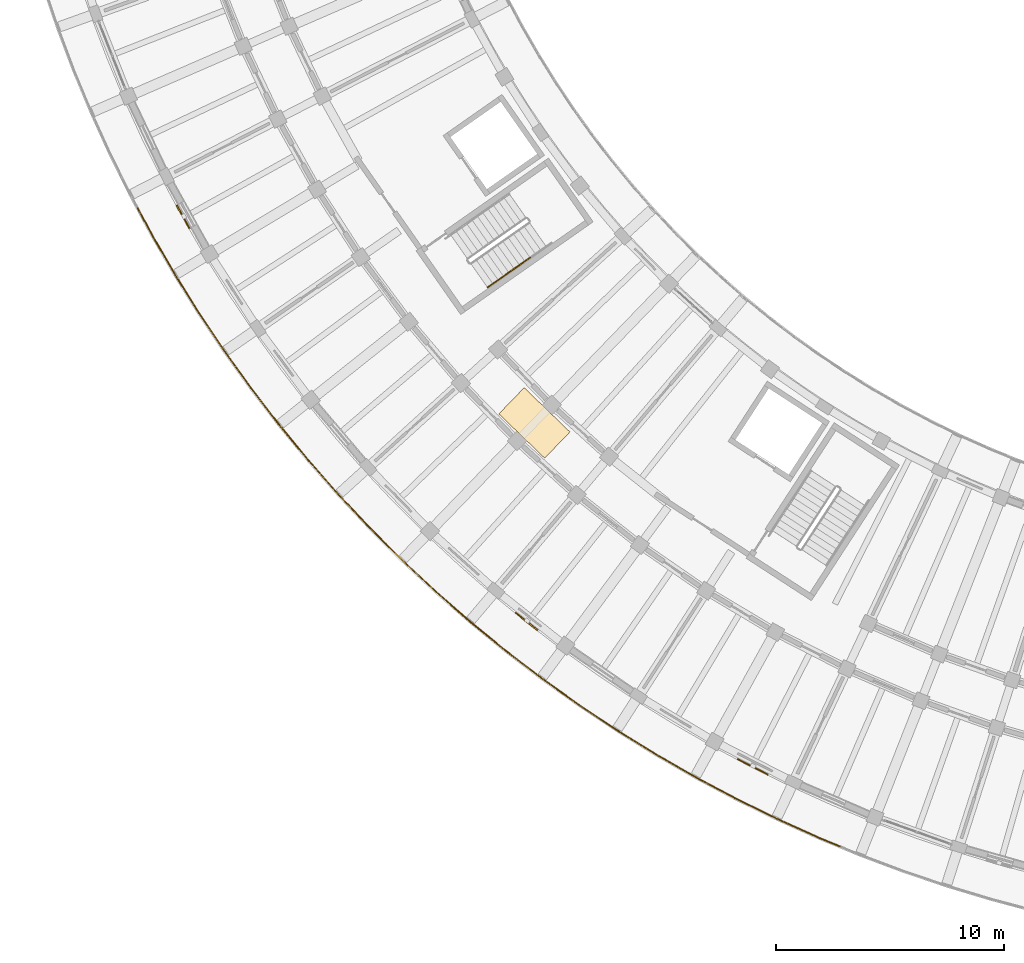
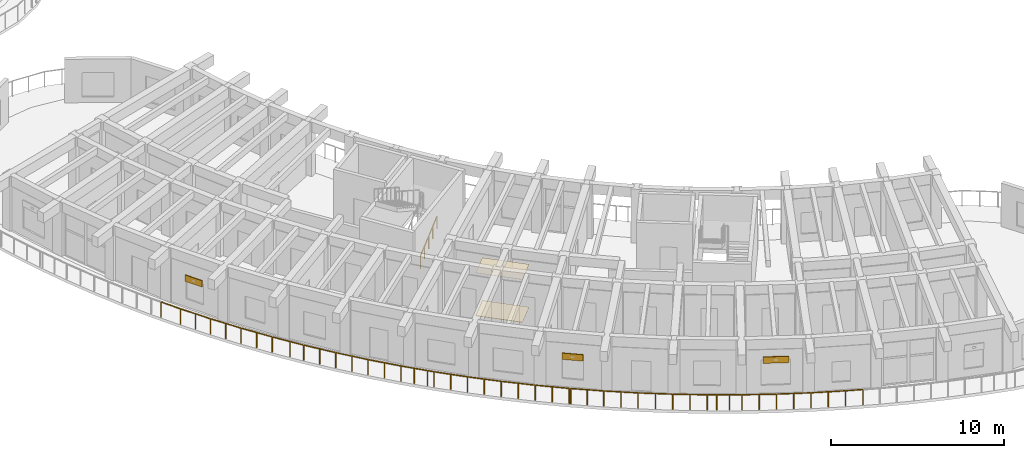
# One storey, part 107 of 128: 7 railings, 3 shading devices, 2 coverings.
"""IFC4 building model written with IfcOpenShell, lengths in metres."""

from ifc_helpers import new_model, si_unit, direction, frame, origin, origin_2d, place, context, subcontext, project, spatial, rectangle, circle, extrude, material, layer, layer_set, type_object, element, save


model = new_model("IFC4")

# Units and contexts
model_context = context("Model", 3, precision=1e-05, world=origin(), true_north=direction((0.0, 1.0)))
body_context = subcontext(model_context, "Body", "Model", "MODEL_VIEW")
ifc_project = project(units=[si_unit("LENGTHUNIT", "METRE"), si_unit("AREAUNIT", "SQUARE_METRE"), si_unit("VOLUMEUNIT", "CUBIC_METRE"), si_unit("PLANEANGLEUNIT", "RADIAN"), si_unit("MASSUNIT", "GRAM", prefix="KILO")], contexts=[model_context])

# Site, building, storey
site_placement = place(None, origin())
site = spatial("IfcSite", under=ifc_project, at=site_placement, CompositionType="ELEMENT")
building_placement = place(site_placement, origin())
building = spatial("IfcBuilding", under=site, at=building_placement, Name="Tanwirah Colonnade Gardens", CompositionType="ELEMENT")
storey_placement = place(building_placement, frame((0.0, 0.0, 4.760009765625)))
storey = spatial("IfcBuildingStorey", under=building, at=storey_placement, Name="L01", CompositionType="ELEMENT", Elevation=4.760009765625)

# Railings
ifc_material_1 = material(Name="Precast concrete C40/50", Category="concrete")
railing_type_1 = type_object("IfcRailingType", Name="BAL-EXT110", PredefinedType="BALUSTRADE", material=ifc_material_1)
railing_1_placement = place(storey_placement, frame((41.62255859375, 7.81982421875, 0.0)))
element("IfcRailing", 1, at=railing_1_placement, inside=storey, type_object=railing_type_1, Name="Block C L01 Balcony Ribbon Balustrade 11", PredefinedType="BALUSTRADE", context=body_context, shape_type="SweptSolid", body=[
    extrude(circle(Radius=0.02392578125, at=origin_2d()), frame((-0.02880859375, 0.011962890625, 1.076171875), z_axis=(-0.924279622952, 0.381716096851, 0.0), x_axis=(-0.381716096851, -0.924279622952, 0.0)), (0.0, 0.0, 1.0), 0.966552734375),
    extrude(circle(Radius=0.02392578125, at=origin_2d()), frame((-0.979736328125, 0.40576171875, 1.076171875), z_axis=(-0.911305810052, 0.411730155035, 0.0), x_axis=(-0.411730155035, -0.911305810052, 0.0)), (0.0, 0.0, 1.0), 1.944091796875),
    extrude(circle(Radius=0.02392578125, at=origin_2d()), frame((-2.807861328125, 1.23291015625, 1.076171875), z_axis=(-0.897352335885, 0.441314836916, 0.0), x_axis=(-0.441314836916, -0.897352335885, 0.0)), (0.0, 0.0, 1.0), 1.944091796875),
    extrude(circle(Radius=0.02392578125, at=origin_2d()), frame((-4.60791015625, 2.119140625, 1.076171875), z_axis=(-0.882416921514, 0.470468252516, 0.0), x_axis=(-0.470468252516, -0.882416921514, 0.0)), (0.0, 0.0, 1.0), 1.944091796875),
    extrude(circle(Radius=0.02392578125, at=origin_2d()), frame((-6.378173828125, 3.064208984375, 1.076171875), z_axis=(-0.866602615509, 0.498998904601, 0.0), x_axis=(-0.498998904601, -0.866602615509, 0.0)), (0.0, 0.0, 1.0), 1.388671875),
    extrude(circle(Radius=0.02099609375, at=origin_2d()), origin(), (0.0, 0.0, 1.0), 1.049072265625),
    extrude(circle(Radius=0.02099609375, at=origin_2d()), frame((-0.951171875, 0.392822265625, 0.0)), (0.0, 0.0, 1.0), 1.049072265625),
    extrude(circle(Radius=0.02099609375, at=origin_2d()), frame((-1.865478515625, 0.805908203125, 0.0)), (0.0, 0.0, 1.0), 1.049072265625),
    extrude(circle(Radius=0.02099609375, at=origin_2d()), frame((-2.77978515625, 1.218994140625, 0.0)), (0.0, 0.0, 1.0), 1.049072265625),
    extrude(circle(Radius=0.02099609375, at=origin_2d()), frame((-3.68017578125, 1.66162109375, 0.0)), (0.0, 0.0, 1.0), 1.049072265625),
    extrude(circle(Radius=0.02099609375, at=origin_2d()), frame((-4.580322265625, 2.1044921875, 0.0)), (0.0, 0.0, 1.0), 1.049072265625),
    extrude(circle(Radius=0.02099609375, at=origin_2d()), frame((-5.4658203125, 2.57666015625, 0.0)), (0.0, 0.0, 1.0), 1.049072265625),
    extrude(circle(Radius=0.02099609375, at=origin_2d()), frame((-6.35107421875, 3.048583984375, 0.0)), (0.0, 0.0, 1.0), 1.049072265625),
    extrude(circle(Radius=0.02099609375, at=origin_2d()), frame((-6.97998046875, 3.41064453125, 0.0)), (0.0, 0.0, 1.0), 1.049072265625),
    extrude(circle(Radius=0.02099609375, at=origin_2d()), frame((-7.608642578125, 3.772705078125, 0.0)), (0.0, 0.0, 1.0), 1.049072265625),
])
railing_2_placement = place(storey_placement, frame((34.013916015625, 11.592529296875, 0.0)))
element("IfcRailing", 2, at=railing_2_placement, inside=storey, type_object=railing_type_1, Name="Block C L01 Balcony Ribbon Balustrade 12", PredefinedType="BALUSTRADE", context=body_context, shape_type="SweptSolid", body=[
    extrude(circle(Radius=0.02392578125, at=origin_2d()), frame((-0.027099609375, 0.015625, 1.076171875), z_axis=(-0.866587887703, 0.49902448125, 0.0), x_axis=(-0.49902448125, -0.866587887703, 0.0)), (0.0, 0.0, 1.0), 0.49267578125),
    extrude(circle(Radius=0.02392578125, at=origin_2d()), frame((-0.5078125, 0.293701171875, 1.076171875), z_axis=(-0.84977735452, 0.527141771959, 0.0), x_axis=(-0.527141771959, -0.84977735452, 0.0)), (0.0, 0.0, 1.0), 1.9443359375),
    extrude(circle(Radius=0.02392578125, at=origin_2d()), frame((-2.212646484375, 1.352294921875, 1.076171875), z_axis=(-0.832069011603, 0.554672119301, 0.0), x_axis=(-0.554672119301, -0.832069011603, 0.0)), (0.0, 0.0, 1.0), 1.944091796875),
    extrude(circle(Radius=0.02392578125, at=origin_2d()), frame((-3.881591796875, 2.466064453125, 1.076171875), z_axis=(-0.813486769226, 0.581583421612, 0.0), x_axis=(-0.581583421612, -0.813486769226, 0.0)), (0.0, 0.0, 1.0), 1.944091796875),
    extrude(circle(Radius=0.02392578125, at=origin_2d()), frame((-5.513427734375, 3.634033203125, 1.076171875), z_axis=(-0.794008424843, 0.60790675377, 0.0), x_axis=(-0.60790675377, -0.794008424843, 0.0)), (0.0, 0.0, 1.0), 1.862060546875),
    extrude(circle(Radius=0.02099609375, at=origin_2d()), origin(), (0.0, 0.0, 1.0), 1.049072265625),
    extrude(circle(Radius=0.02099609375, at=origin_2d()), frame((-0.481201171875, 0.277099609375, 0.0)), (0.0, 0.0, 1.0), 1.049072265625),
    extrude(circle(Radius=0.02099609375, at=origin_2d()), frame((-1.333984375, 0.80615234375, 0.0)), (0.0, 0.0, 1.0), 1.049072265625),
    extrude(circle(Radius=0.02099609375, at=origin_2d()), frame((-2.1865234375, 1.3349609375, 0.0)), (0.0, 0.0, 1.0), 1.049072265625),
    extrude(circle(Radius=0.02099609375, at=origin_2d()), frame((-3.021484375, 1.8916015625, 0.0)), (0.0, 0.0, 1.0), 1.049072265625),
    extrude(circle(Radius=0.02099609375, at=origin_2d()), frame((-3.856201171875, 2.447998046875, 0.0)), (0.0, 0.0, 1.0), 1.049072265625),
    extrude(circle(Radius=0.02099609375, at=origin_2d()), frame((-4.67236328125, 3.031494140625, 0.0)), (0.0, 0.0, 1.0), 1.049072265625),
    extrude(circle(Radius=0.02099609375, at=origin_2d()), frame((-5.488525390625, 3.614990234375, 0.0)), (0.0, 0.0, 1.0), 1.049072265625),
    extrude(circle(Radius=0.02099609375, at=origin_2d()), frame((-6.25244140625, 4.199951171875, 0.0)), (0.0, 0.0, 1.0), 1.049072265625),
    extrude(circle(Radius=0.02099609375, at=origin_2d()), frame((-7.0166015625, 4.784912109375, 0.0)), (0.0, 0.0, 1.0), 1.049072265625),
])
railing_3_placement = place(storey_placement, frame((26.997314453125, 16.37744140625, 0.0)))
element("IfcRailing", 3, at=railing_3_placement, inside=storey, type_object=railing_type_1, Name="Block C L01 Balcony Ribbon Balustrade 13", PredefinedType="BALUSTRADE", context=body_context, shape_type="SweptSolid", body=[
    extrude(circle(Radius=0.02392578125, at=origin_2d()), frame((-0.02490234375, 0.01904296875, 1.076171875), z_axis=(-0.794611184815, 0.607118658061, 0.0), x_axis=(-0.607118658061, -0.794611184815, 0.0)), (0.0, 0.0, 1.0), 0.01953125),
    extrude(circle(Radius=0.02392578125, at=origin_2d()), frame((-0.08935546875, 0.069580078125, 1.076171875), z_axis=(-0.773707873236, 0.633542521771, 0.0), x_axis=(-0.633542521771, -0.773707873236, 0.0)), (0.0, 0.0, 1.0), 1.944091796875),
    extrude(circle(Radius=0.02392578125, at=origin_2d()), frame((-1.64111328125, 1.341552734375, 1.076171875), z_axis=(-0.752508858808, 0.658582126553, 0.0), x_axis=(-0.658582126553, -0.752508858808, 0.0)), (0.0, 0.0, 1.0), 1.944091796875),
    extrude(circle(Radius=0.02392578125, at=origin_2d()), frame((-3.150634765625, 2.663818359375, 1.076171875), z_axis=(-0.730610060212, 0.682794947196, 0.0), x_axis=(-0.682794947196, -0.730610060212, 0.0)), (0.0, 0.0, 1.0), 1.944091796875),
    extrude(circle(Radius=0.02392578125, at=origin_2d()), frame((-4.615966796875, 4.03466796875, 1.076171875), z_axis=(-0.707897217537, 0.706315460261, 0.0), x_axis=(-0.706315460261, -0.707897217537, 0.0)), (0.0, 0.0, 1.0), 1.944091796875),
    extrude(circle(Radius=0.02392578125, at=origin_2d()), frame((-6.03564453125, 5.45263671875, 1.076171875), z_axis=(-0.684314204169, 0.729187266738, 0.0), x_axis=(-0.729187266738, -0.684314204169, 0.0)), (0.0, 0.0, 1.0), 0.3291015625),
    extrude(circle(Radius=0.02099609375, at=origin_2d()), origin(), (0.0, 0.0, 1.0), 1.049072265625),
    extrude(circle(Radius=0.02099609375, at=origin_2d()), frame((-0.065185546875, 0.0498046875, 0.0)), (0.0, 0.0, 1.0), 1.049072265625),
    extrude(circle(Radius=0.02099609375, at=origin_2d()), frame((-0.84130859375, 0.685546875, 0.0)), (0.0, 0.0, 1.0), 1.049072265625),
    extrude(circle(Radius=0.02099609375, at=origin_2d()), frame((-1.61767578125, 1.321044921875, 0.0)), (0.0, 0.0, 1.0), 1.049072265625),
    extrude(circle(Radius=0.02099609375, at=origin_2d()), frame((-2.37255859375, 1.98193359375, 0.0)), (0.0, 0.0, 1.0), 1.049072265625),
    extrude(circle(Radius=0.02099609375, at=origin_2d()), frame((-3.127685546875, 2.642578125, 0.0)), (0.0, 0.0, 1.0), 1.049072265625),
    extrude(circle(Radius=0.02099609375, at=origin_2d()), frame((-3.86083984375, 3.32763671875, 0.0)), (0.0, 0.0, 1.0), 1.049072265625),
    extrude(circle(Radius=0.02099609375, at=origin_2d()), frame((-4.59375, 4.0126953125, 0.0)), (0.0, 0.0, 1.0), 1.049072265625),
    extrude(circle(Radius=0.02099609375, at=origin_2d()), frame((-5.303955078125, 4.72119140625, 0.0)), (0.0, 0.0, 1.0), 1.049072265625),
    extrude(circle(Radius=0.02099609375, at=origin_2d()), frame((-6.01416015625, 5.429931640625, 0.0)), (0.0, 0.0, 1.0), 1.049072265625),
    extrude(circle(Radius=0.02099609375, at=origin_2d()), frame((-6.2822265625, 5.715576171875, 0.0)), (0.0, 0.0, 1.0), 1.049072265625),
])
railing_4_placement = place(storey_placement, frame((20.715087890625, 22.093017578125, 0.0)))
element("IfcRailing", 4, at=railing_4_placement, inside=storey, type_object=railing_type_1, Name="Block C L01 Balcony Ribbon Balustrade 14", PredefinedType="BALUSTRADE", context=body_context, shape_type="SweptSolid", body=[
    extrude(circle(Radius=0.02392578125, at=origin_2d()), frame((-0.021484375, 0.022705078125, 1.076171875), z_axis=(-0.68437850788, 0.729126914845, 0.0), x_axis=(-0.729126914845, -0.68437850788, 0.0)), (0.0, 0.0, 1.0), 1.552490234375),
    extrude(circle(Radius=0.02392578125, at=origin_2d()), frame((-1.1259765625, 1.200927734375, 1.076171875), z_axis=(-0.660199900943, 0.751089935224, 0.0), x_axis=(-0.751089935224, -0.660199900943, 0.0)), (0.0, 0.0, 1.0), 1.944091796875),
    extrude(circle(Radius=0.02392578125, at=origin_2d()), frame((-2.44970703125, 2.708740234375, 1.076171875), z_axis=(-0.635216698846, 0.77233395983, 0.0), x_axis=(-0.77233395983, -0.635216698846, 0.0)), (0.0, 0.0, 1.0), 1.944091796875),
    extrude(circle(Radius=0.02392578125, at=origin_2d()), frame((-3.7236328125, 4.259033203125, 1.076171875), z_axis=(-0.609669601555, 0.7926556484, 0.0), x_axis=(-0.7926556484, -0.609669601555, 0.0)), (0.0, 0.0, 1.0), 1.944091796875),
    extrude(circle(Radius=0.02392578125, at=origin_2d()), frame((-4.9462890625, 5.850341796875, 1.076171875), z_axis=(-0.583211557047, 0.812320306115, 0.0), x_axis=(-0.812320306115, -0.583211557047, 0.0)), (0.0, 0.0, 1.0), 0.802734375),
    extrude(circle(Radius=0.02099609375, at=origin_2d()), origin(), (0.0, 0.0, 1.0), 1.049072265625),
    extrude(circle(Radius=0.02099609375, at=origin_2d()), frame((-0.552734375, 0.5888671875, 0.0)), (0.0, 0.0, 1.0), 1.049072265625),
    extrude(circle(Radius=0.02099609375, at=origin_2d()), frame((-1.105224609375, 1.177490234375, 0.0)), (0.0, 0.0, 1.0), 1.049072265625),
    extrude(circle(Radius=0.02099609375, at=origin_2d()), frame((-1.767578125, 1.93115234375, 0.0)), (0.0, 0.0, 1.0), 1.049072265625),
    extrude(circle(Radius=0.02099609375, at=origin_2d()), frame((-2.429931640625, 2.6845703125, 0.0)), (0.0, 0.0, 1.0), 1.049072265625),
    extrude(circle(Radius=0.02099609375, at=origin_2d()), frame((-3.0673828125, 3.45947265625, 0.0)), (0.0, 0.0, 1.0), 1.049072265625),
    extrude(circle(Radius=0.02099609375, at=origin_2d()), frame((-3.70458984375, 4.234375, 0.0)), (0.0, 0.0, 1.0), 1.049072265625),
    extrude(circle(Radius=0.02099609375, at=origin_2d()), frame((-4.31640625, 5.02978515625, 0.0)), (0.0, 0.0, 1.0), 1.049072265625),
    extrude(circle(Radius=0.02099609375, at=origin_2d()), frame((-4.927978515625, 5.824951171875, 0.0)), (0.0, 0.0, 1.0), 1.049072265625),
    extrude(circle(Radius=0.02099609375, at=origin_2d()), frame((-5.4326171875, 6.52783203125, 0.0)), (0.0, 0.0, 1.0), 1.049072265625),
])
railing_5_placement = place(storey_placement, frame((15.282470703125, 28.620849609375, 0.0)))
element("IfcRailing", 5, at=railing_5_placement, inside=storey, type_object=railing_type_1, Name="Block C L01 Balcony Ribbon Balustrade 15", PredefinedType="BALUSTRADE", context=body_context, shape_type="SweptSolid", body=[
    extrude(circle(Radius=0.02392578125, at=origin_2d()), frame((-0.018310546875, 0.025390625, 1.076171875), z_axis=(-0.583340691187, 0.812227577718, 0.0), x_axis=(-0.812227577718, -0.583340691187, 0.0)), (0.0, 0.0, 1.0), 1.078857421875),
    extrude(circle(Radius=0.02392578125, at=origin_2d()), frame((-0.68310546875, 0.952880859375, 1.076171875), z_axis=(-0.556495801451, 0.830850421537, 0.0), x_axis=(-0.830850421537, -0.556495801451, 0.0)), (0.0, 0.0, 1.0), 1.944091796875),
    extrude(circle(Radius=0.02392578125, at=origin_2d()), frame((-1.799072265625, 2.620849609375, 1.076171875), z_axis=(-0.529003375217, 0.848619719903, 0.0), x_axis=(-0.848619719903, -0.529003375217, 0.0)), (0.0, 0.0, 1.0), 1.944091796875),
    extrude(circle(Radius=0.02392578125, at=origin_2d()), frame((-2.859619140625, 4.32421875, 1.076171875), z_axis=(-0.500940340279, 0.865481816956, 0.0), x_axis=(-0.865481816956, -0.500940340279, 0.0)), (0.0, 0.0, 1.0), 1.94384765625),
    extrude(circle(Radius=0.02392578125, at=origin_2d()), frame((-3.86376953125, 6.061279296875, 1.076171875), z_axis=(-0.472413668616, 0.881376948703, 0.0), x_axis=(-0.881376948703, -0.472413668616, 0.0)), (0.0, 0.0, 1.0), 1.2763671875),
    extrude(circle(Radius=0.02099609375, at=origin_2d()), origin(), (0.0, 0.0, 1.0), 1.049072265625),
    extrude(circle(Radius=0.02099609375, at=origin_2d()), frame((-0.665771484375, 0.927001953125, 0.0)), (0.0, 0.0, 1.0), 1.049072265625),
    extrude(circle(Radius=0.02099609375, at=origin_2d()), frame((-1.22412109375, 1.7607421875, 0.0)), (0.0, 0.0, 1.0), 1.049072265625),
    extrude(circle(Radius=0.02099609375, at=origin_2d()), frame((-1.782470703125, 2.59423828125, 0.0)), (0.0, 0.0, 1.0), 1.049072265625),
    extrude(circle(Radius=0.02099609375, at=origin_2d()), frame((-2.313232421875, 3.44580078125, 0.0)), (0.0, 0.0, 1.0), 1.049072265625),
    extrude(circle(Radius=0.02099609375, at=origin_2d()), frame((-2.843994140625, 4.297119140625, 0.0)), (0.0, 0.0, 1.0), 1.049072265625),
    extrude(circle(Radius=0.02099609375, at=origin_2d()), frame((-3.3466796875, 5.16552734375, 0.0)), (0.0, 0.0, 1.0), 1.049072265625),
    extrude(circle(Radius=0.02099609375, at=origin_2d()), frame((-3.84912109375, 6.03369140625, 0.0)), (0.0, 0.0, 1.0), 1.049072265625),
    extrude(circle(Radius=0.02099609375, at=origin_2d()), frame((-4.481689453125, 7.2138671875, 0.0)), (0.0, 0.0, 1.0), 1.049072265625),
])

# Coverings
ifc_material_2 = material(Name="Acoustic perforated gypsum ceiling board")
ifc_layer_1 = layer(ifc_material_2, 0.014892578125)
ifc_layer_set_1 = layer_set([ifc_layer_1], Name="Acoustic perforated gypsum ceiling board")
covering_type_1 = type_object("IfcCoveringType", Name="COV-CEIL15", PredefinedType="CEILING", material=ifc_layer_set_1)
covering_1_placement = place(storey_placement, frame((28.2177734375, 26.410888671875, 3.03271484375), z_axis=(0.0, 0.0, 1.0), x_axis=(0.719339800339, -0.694658370459, 0.0)))
element("IfcCovering", 6, at=covering_1_placement, inside=storey, type_object=covering_type_1, Name="Block C L01 Corridor Acoustic Ceiling", PredefinedType="CEILING", context=body_context, shape_type="SweptSolid", body=[
    extrude(rectangle(XDim=2.800048828125, YDim=1.60009765625, at=origin_2d()), origin(), (0.0, 0.0, 1.0), 0.014892578125),
])
ifc_material_3 = material(Name="Honed Abu Dhabi limestone terrazzo flooring", Category="masonry")
ifc_layer_2 = layer(ifc_material_3, 0.02001953125)
ifc_layer_set_2 = layer_set([ifc_layer_2], Name="Honed Abu Dhabi limestone terrazzo flooring")
covering_type_2 = type_object("IfcCoveringType", Name="COV-FLR20", PredefinedType="FLOORING", material=ifc_layer_set_2)
covering_2_placement = place(storey_placement, frame((28.2177734375, 26.410888671875, 0.0), z_axis=(0.0, 0.0, 1.0), x_axis=(0.719339800339, -0.694658370459, 0.0)))
element("IfcCovering", 7, at=covering_2_placement, inside=storey, type_object=covering_type_2, Name="Block C L01 Corridor Terrazzo Flooring", PredefinedType="FLOORING", context=body_context, shape_type="SweptSolid", body=[
    extrude(rectangle(XDim=2.800048828125, YDim=1.60009765625, at=origin_2d()), origin(), (0.0, 0.0, 1.0), 0.02001953125),
])

# Railings
ifc_material_4 = material(Name="Brushed bronze stainless steel", Category="steel")
railing_type_2 = type_object("IfcRailingType", Name="HR-ST090", PredefinedType="HANDRAIL", material=ifc_material_4)
railing_6_placement = place(storey_placement, frame((26.16064453125, 32.360107421875, 0.169921875)))
element("IfcRailing", 8, at=railing_6_placement, inside=storey, type_object=railing_type_2, Name="L01 ST-C1 stair handrail 1", PredefinedType="HANDRAIL", context=body_context, shape_type="SweptSolid", body=[
    extrude(circle(Radius=0.02392578125, at=origin_2d()), frame((0.02197265625, 0.015380859375, 0.89208984375), z_axis=(0.701819905824, 0.491549157569, 0.515585342579), x_axis=(-0.573677900503, 0.81908098896, 0.0)), (0.0, 0.0, 1.0), 1.26806640625),
    extrude(circle(Radius=0.02099609375, at=origin_2d()), origin(), (0.0, 0.0, 1.0), 0.848876953125),
    extrude(circle(Radius=0.02099609375, at=origin_2d()), frame((0.466796875, 0.3271484375, 0.343017578125)), (0.0, 0.0, 1.0), 0.848876953125),
    extrude(circle(Radius=0.02099609375, at=origin_2d()), frame((0.933837890625, 0.654052734375, 0.68603515625)), (0.0, 0.0, 1.0), 0.848876953125),
])
railing_7_placement = place(storey_placement, frame((27.094482421875, 33.01416015625, 0.85595703125)))
element("IfcRailing", 9, at=railing_7_placement, inside=storey, type_object=railing_type_2, Name="L01 ST-C1 stair handrail 2", PredefinedType="HANDRAIL", context=body_context, shape_type="SweptSolid", body=[
    extrude(circle(Radius=0.02392578125, at=origin_2d()), frame((0.02197265625, 0.015380859375, 0.89208984375), z_axis=(0.701883200119, 0.491409989521, 0.515631841133), x_axis=(-0.573534209649, 0.819181610122, 0.0)), (0.0, 0.0, 1.0), 1.26806640625),
    extrude(circle(Radius=0.02099609375, at=origin_2d()), origin(), (0.0, 0.0, 1.0), 0.848876953125),
    extrude(circle(Radius=0.02099609375, at=origin_2d()), frame((0.466796875, 0.326904296875, 0.343017578125)), (0.0, 0.0, 1.0), 0.848876953125),
    extrude(circle(Radius=0.02099609375, at=origin_2d()), frame((0.933837890625, 0.65380859375, 0.68603515625)), (0.0, 0.0, 1.0), 0.848876953125),
])

# Shading devices
ifc_material_5 = material(Name="Perforated architectural bronze aluminium", Category="aluminium")
ifc_layer_3 = layer(ifc_material_5, 0.050048828125)
ifc_layer_set_3 = layer_set([ifc_layer_3], Name="Perforated architectural bronze aluminium")
shading_device_type = type_object("IfcShadingDeviceType", Name="SHD-OVH1", PredefinedType="SHUTTER", material=ifc_layer_set_3)
shading_device_1_placement = place(storey_placement, frame((12.788818359375, 35.46142578125, 1.8701171875), z_axis=(0.0, 0.0, 1.0), x_axis=(0.486716717699, -0.873559864413, 0.0)))
element("IfcShadingDevice", 10, at=shading_device_1_placement, inside=storey, type_object=shading_device_type, Name="Solar shading louver hood C-L01-03", PredefinedType="SHUTTER", context=body_context, shape_type="SweptSolid", body=[
    extrude(rectangle(XDim=1.159912109375, YDim=0.06005859375, at=origin_2d()), origin(), (0.0, 0.0, 1.0), 0.449951171875),
])
shading_device_2_placement = place(storey_placement, frame((27.875732421875, 17.69140625, 1.98486328125), z_axis=(0.0, 0.0, 1.0), x_axis=(0.783964397211, -0.62080578598, 0.0)))
element("IfcShadingDevice", 11, at=shading_device_2_placement, inside=storey, type_object=shading_device_type, Name="Solar shading louver hood C-L01-09", PredefinedType="SHUTTER", context=body_context, shape_type="SweptSolid", body=[
    extrude(rectangle(XDim=1.25, YDim=0.06005859375, at=origin_2d()), origin(), (0.0, 0.0, 1.0), 0.449951171875),
])
shading_device_3_placement = place(storey_placement, frame((37.80126953125, 11.307373046875, 2.18505859375), z_axis=(0.0, 0.0, 1.0), x_axis=(0.890014193904, -0.455932818132, 0.0)))
element("IfcShadingDevice", 12, at=shading_device_3_placement, inside=storey, type_object=shading_device_type, Name="Solar shading louver hood C-L01-12", PredefinedType="SHUTTER", context=body_context, shape_type="SweptSolid", body=[
    extrude(rectangle(XDim=1.5, YDim=0.06005859375, at=origin_2d()), origin(), (0.0, 0.0, 1.0), 0.449951171875),
])

save(model, "model.ifc")
